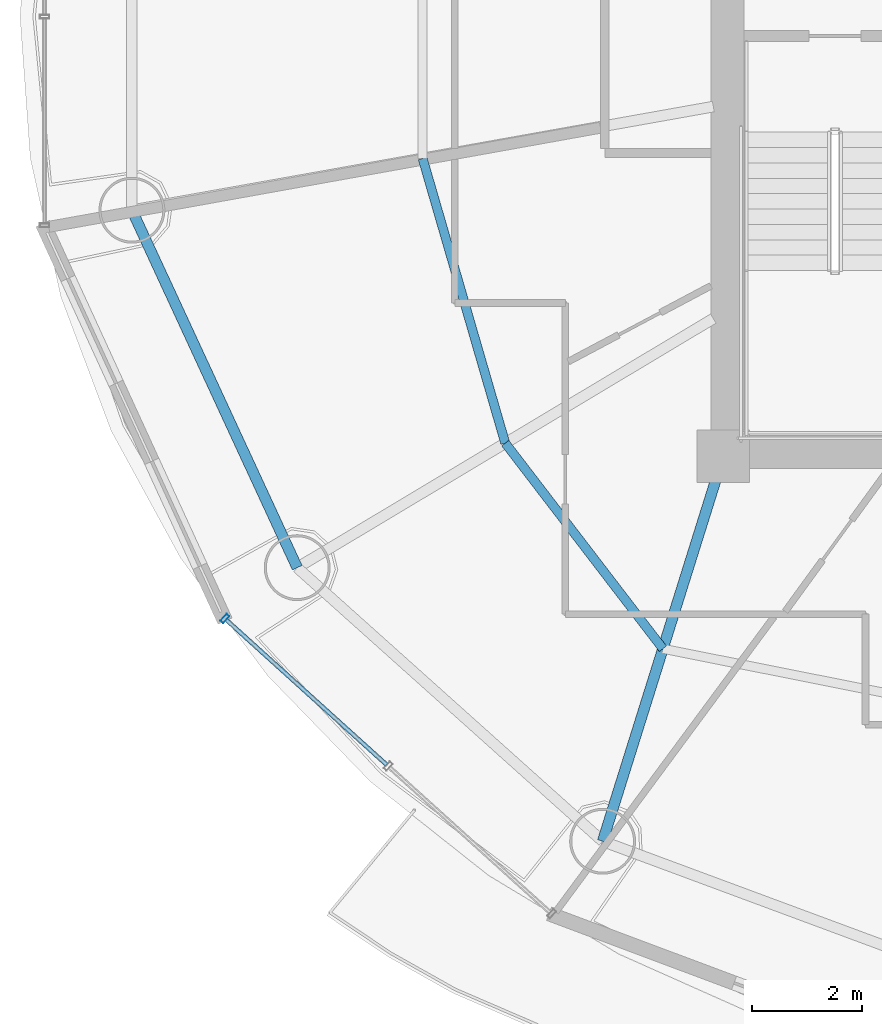
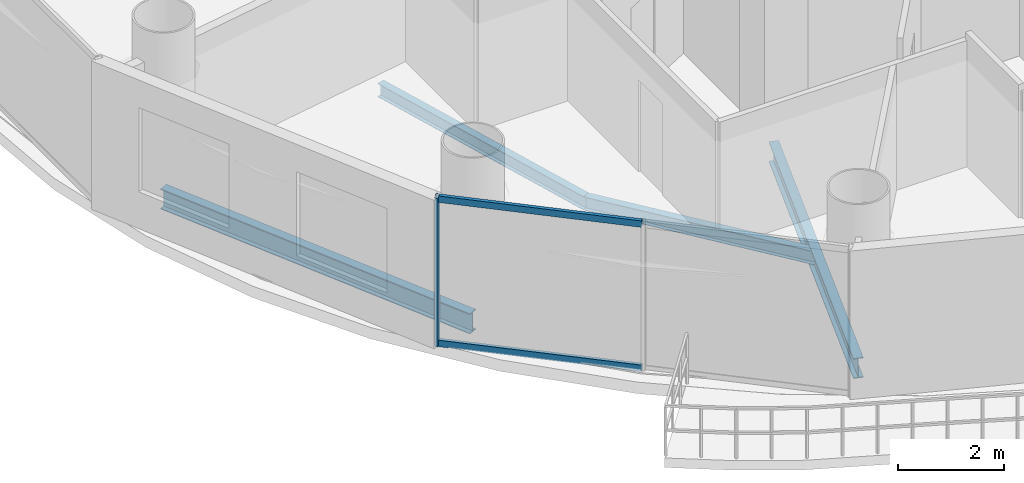
# One storey, part 3 of 27: 4 beams, 3 members, 1 element without a shape of its own.
"""IFC4 building model written with IfcOpenShell, lengths in metres."""

from ifc_helpers import new_model, si_unit, direction, frame, origin, origin_2d, place, context, subcontext, project, spatial, hollow_rectangle, i_section, extrude, source, transform, mapped, material, material_profile, profile_set, type_object, element, aggregate, save


model = new_model("IFC4")

# Units and contexts
model_context = context("Model", 3, precision=1e-05, world=origin(), true_north=direction((-0.2419218956, 0.970295726276)))
body_context = subcontext(model_context, "Body", "Model", "MODEL_VIEW")
ifc_project = project(units=[si_unit("LENGTHUNIT", "METRE"), si_unit("AREAUNIT", "SQUARE_METRE"), si_unit("VOLUMEUNIT", "CUBIC_METRE"), si_unit("PLANEANGLEUNIT", "RADIAN"), si_unit("MASSUNIT", "GRAM", prefix="KILO")], contexts=[model_context])

# Site, building, storey
site_placement = place(None, origin())
site = spatial("IfcSite", under=ifc_project, at=site_placement, CompositionType="ELEMENT")
building_placement = place(site_placement, origin())
building = spatial("IfcBuilding", under=site, at=building_placement, Name="Cobrevalo Terracotta Tower", CompositionType="ELEMENT")
storey_placement = place(building_placement, frame((0.0, 0.0, 198.60009765625)))
storey = spatial("IfcBuildingStorey", under=building, at=storey_placement, Name="L52", CompositionType="ELEMENT", Elevation=198.60009765625)

# Beams
ifc_material_1 = material(Name="Steel S355", Category="steel")
ifc_material_profile_1 = material_profile(ifc_material_1, i_section(OverallWidth=0.194091796875, OverallDepth=0.468994140625, WebThickness=0.011474609375, FlangeThickness=0.0205078125, at=origin_2d()), Name="W 460x106")
ifc_profile_set_1 = profile_set([ifc_material_profile_1], Name="Steel S355")
beam_type_1 = type_object("IfcBeamType", Name="Structural Beam W 460x106 (Steel S355)", PredefinedType="BEAM", material=ifc_profile_set_1)
beam_1_placement = place(storey_placement, frame((26.80517578125, 11.7919921875, -0.49951171875), z_axis=(0.298871212691, 0.954293454984, 0.0), x_axis=(-0.954293454984, 0.298871212691, 0.0)))
element("IfcBeam", 1, at=beam_1_placement, inside=storey, type_object=beam_type_1, Name="L52 radial floor girder 11", PredefinedType="BEAM", context=body_context, shape_type="SweptSolid", body=[
    extrude(i_section(OverallWidth=0.194091796875, OverallDepth=0.468994140625, WebThickness=0.011474609375, FlangeThickness=0.0205078125, at=origin_2d()), origin(), (0.0, 0.0, 1.0), 7.34375),
])
ifc_material_profile_2 = material_profile(ifc_material_1, i_section(OverallWidth=0.1650390625, OverallDepth=0.31005859375, WebThickness=0.005859375, FlangeThickness=0.009765625, at=origin_2d()), Name="W 310x38.7")
ifc_profile_set_2 = profile_set([ifc_material_profile_2], Name="Steel S355")
beam_type_2 = type_object("IfcBeamType", Name="Structural Joist W 310x38.7 (Steel S355)", PredefinedType="JOIST", material=ifc_profile_set_2)
beam_2_placement = place(storey_placement, frame((23.528564453125, 24.221435546875, -0.420166015625), z_axis=(0.278757705995, -0.960361463902, 0.0), x_axis=(0.960361463902, 0.278757705995, 0.0)))
element("IfcBeam", 2, at=beam_2_placement, inside=storey, type_object=beam_type_2, Name="L52 circumferential secondary floor joist 09", PredefinedType="JOIST", context=body_context, shape_type="SweptSolid", body=[
    extrude(i_section(OverallWidth=0.1650390625, OverallDepth=0.31005859375, WebThickness=0.005859375, FlangeThickness=0.009765625, at=origin_2d()), origin(), (0.0, 0.0, 1.0), 5.396728515625),
])
beam_3_placement = place(storey_placement, frame((25.032958984375, 19.03857421875, -0.420166015625), z_axis=(0.608464146296, -0.793581364872, 0.0), x_axis=(0.793581364872, 0.608464146296, 0.0)))
element("IfcBeam", 3, at=beam_3_placement, inside=storey, type_object=beam_type_2, Name="L52 circumferential secondary floor joist 10", PredefinedType="JOIST", context=body_context, shape_type="SweptSolid", body=[
    extrude(i_section(OverallWidth=0.1650390625, OverallDepth=0.31005859375, WebThickness=0.005859375, FlangeThickness=0.009765625, at=origin_2d()), origin(), (0.0, 0.0, 1.0), 4.716064453125),
])
ifc_material_profile_3 = material_profile(ifc_material_1, i_section(OverallWidth=0.194091796875, OverallDepth=0.468994140625, WebThickness=0.011474609375, FlangeThickness=0.0205078125, at=origin_2d()), Name="W 460x106")
ifc_profile_set_3 = profile_set([ifc_material_profile_3], Name="Steel S355")
beam_type_3 = type_object("IfcBeamType", Name="Structural Spandrel W 460x106 (Steel S355)", PredefinedType="SPANDREL", material=ifc_profile_set_3)
beam_4_placement = place(storey_placement, frame((18.237060546875, 23.278564453125, -0.49951171875), z_axis=(0.419718939129, -0.90765412583, 0.0), x_axis=(0.90765412583, 0.419718939129, 0.0)))
element("IfcBeam", 4, at=beam_4_placement, inside=storey, type_object=beam_type_3, Name="L52 perimeter ring spandrel 09", PredefinedType="SPANDREL", context=body_context, shape_type="SweptSolid", body=[
    extrude(i_section(OverallWidth=0.194091796875, OverallDepth=0.468994140625, WebThickness=0.011474609375, FlangeThickness=0.0205078125, at=origin_2d()), origin(), (0.0, 0.0, 1.0), 7.168701171875),
])

# Curtain wall, members
ifc_material_2 = material(Name="Anodized aluminium", Category="aluminium")
curtain_wall_type = type_object("IfcCurtainWallType", Name="Mid-tower high-wind unitised curtain wall CW-U2", PredefinedType="NOTDEFINED", material=ifc_material_2)
curtain_wall_placement = place(storey_placement, origin())
curtain_wall = element("IfcCurtainWall", 5, at=curtain_wall_placement, inside=storey, type_object=curtain_wall_type, Name="L52 curtain wall CW-L52-S10", PredefinedType="NOTDEFINED")
ifc_material_profile_4 = material_profile(ifc_material_2, hollow_rectangle(XDim=0.074951171875, YDim=0.14990234375, WallThickness=0.00439453125, at=origin_2d()), Name="CWT 75x150")
ifc_profile_set_4 = profile_set([ifc_material_profile_4], Name="Anodized aluminium")
member_type_1 = type_object("IfcMemberType", Name="Tower unitised aluminium transom 75x150", PredefinedType="USERDEFINED", material=ifc_profile_set_4)
shared_shape_1 = source(origin(), body_context, "Body", "SweptSolid", [
    extrude(hollow_rectangle(XDim=0.074951171875, YDim=0.14990234375, WallThickness=0.00439453125, at=origin_2d()), origin(), (0.0, 0.0, 1.0), 3.927490234375),
])
member_1_placement = place(storey_placement, frame((19.958251953125, 15.818359375, 0.0498046875), z_axis=(0.741975952623, -0.670426495396, 0.0), x_axis=(0.670426495396, 0.741975952623, 0.0)))
member_1 = element("IfcMember", 6, at=member_1_placement, type_object=member_type_1, Name="CW-L52-S10 transom B01-T1", ObjectType="TRANSOM", PredefinedType="USERDEFINED", context=body_context, shape_type="MappedRepresentation", body=[
    mapped(shared_shape_1, transform((0.0, 0.0, 0.0), scale=1.0)),
])
member_2_placement = place(storey_placement, frame((19.958251953125, 15.818359375, 3.385009765625), z_axis=(0.741975952623, -0.670426495396, 0.0), x_axis=(0.670426495396, 0.741975952623, 0.0)))
member_2 = element("IfcMember", 7, at=member_2_placement, type_object=member_type_1, Name="CW-L52-S10 transom B01-T2", ObjectType="TRANSOM", PredefinedType="USERDEFINED", context=body_context, shape_type="MappedRepresentation", body=[
    mapped(shared_shape_1, transform((0.0, 0.0, 0.0), scale=1.0)),
])
ifc_material_profile_5 = material_profile(ifc_material_2, hollow_rectangle(XDim=0.070068359375, YDim=0.169921875, WallThickness=0.00439453125, at=origin_2d()), Name="CWM 70x170")
ifc_profile_set_5 = profile_set([ifc_material_profile_5], Name="Anodized aluminium")
member_type_2 = type_object("IfcMemberType", Name="Upper tower unitised mullion 70x170", PredefinedType="MULLION", material=ifc_profile_set_5)
shared_shape_2 = source(origin(), body_context, "Body", "SweptSolid", [
    extrude(hollow_rectangle(XDim=0.070068359375, YDim=0.169921875, WallThickness=0.00439453125, at=origin_2d()), origin(), (0.0, 0.0, 1.0), 3.434814453125),
])
member_3_placement = place(storey_placement, frame((19.928466796875, 15.84521484375, 0.0), z_axis=(0.0, 0.0, 1.0), x_axis=(0.741987542015, -0.670413668935, 0.0)))
member_3 = element("IfcMember", 8, at=member_3_placement, type_object=member_type_2, Name="CW-L52-S10 vertical mullion 01", PredefinedType="MULLION", context=body_context, shape_type="MappedRepresentation", body=[
    mapped(shared_shape_2, transform((0.0, 0.0, 0.0), scale=1.0)),
])
aggregate(curtain_wall, [member_3, member_1, member_2])

save(model, "model.ifc")
